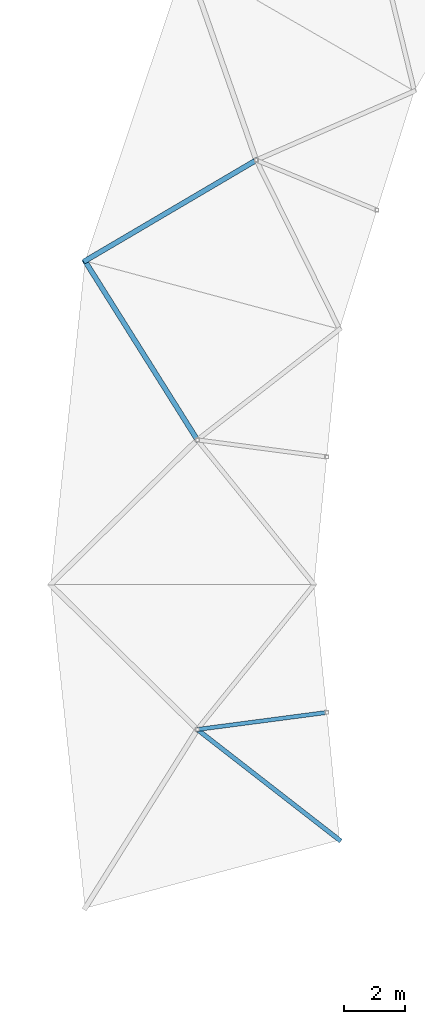
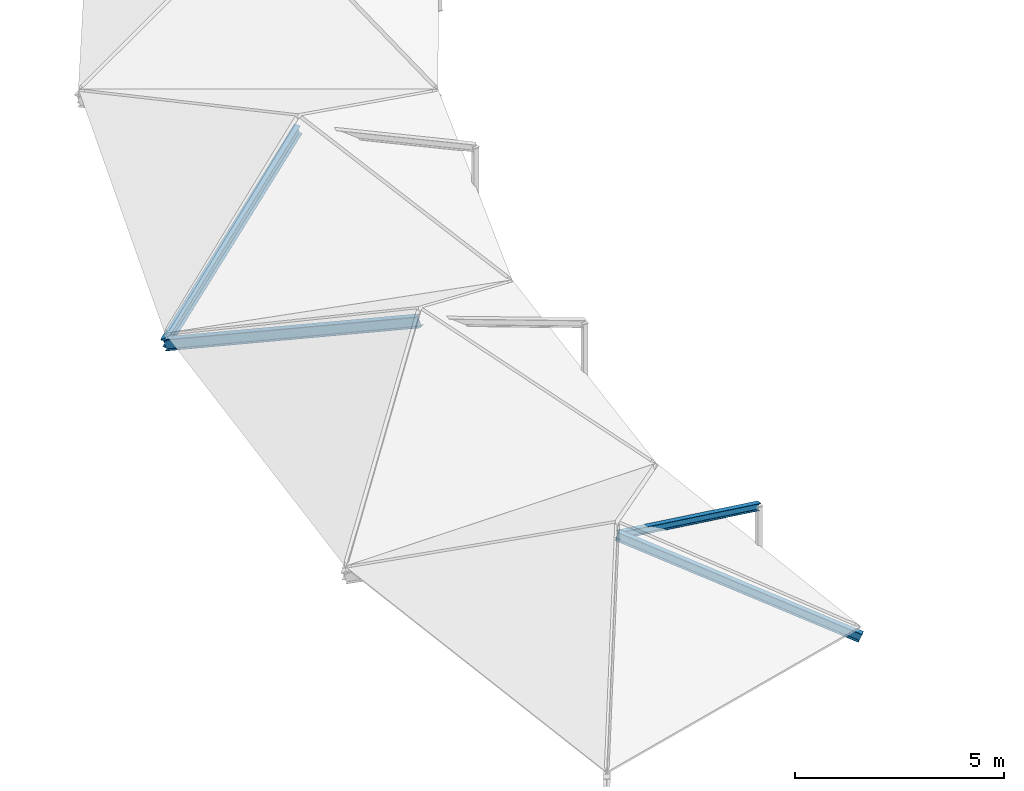
# One storey, part 12 of 66: 4 members.
"""IFC4 building model written with IfcOpenShell, lengths in metres."""

from ifc_helpers import new_model, si_unit, direction, frame, origin, origin_2d, place, context, subcontext, project, spatial, i_section, extrude, material, material_profile, profile_set, type_object, element, save


model = new_model("IFC4")

# Units and contexts
model_context = context("Model", 3, precision=1e-05, world=origin(), true_north=direction((0.0, 1.0)))
body_context = subcontext(model_context, "Body", "Model", "MODEL_VIEW")
ifc_project = project(units=[si_unit("LENGTHUNIT", "METRE"), si_unit("AREAUNIT", "SQUARE_METRE"), si_unit("VOLUMEUNIT", "CUBIC_METRE"), si_unit("PLANEANGLEUNIT", "RADIAN"), si_unit("MASSUNIT", "GRAM", prefix="KILO")], contexts=[model_context])

# Site, building, storey
site_placement = place(None, origin())
site = spatial("IfcSite", under=ifc_project, at=site_placement, CompositionType="ELEMENT")
building_placement = place(site_placement, origin())
building = spatial("IfcBuilding", under=site, at=building_placement, Name="Karori Crest Natural Sciences Institute", CompositionType="ELEMENT")
storey_placement = place(building_placement, frame((0.0, 0.0, 30.10009765625)))
storey = spatial("IfcBuildingStorey", under=building, at=storey_placement, Name="L07", CompositionType="ELEMENT", Elevation=30.10009765625)

# Members
ifc_material = material(Name="Structural steel AS/NZS 3679.1 Grade 350", Category="steel")
ifc_material_profile_1 = material_profile(ifc_material, i_section(OverallWidth=0.166015625, OverallDepth=0.306884765625, WebThickness=0.006591796875, FlangeThickness=0.01171875, FilletRadius=0.010986328125, at=origin_2d()), Name="310UB46.2")
ifc_profile_set_1 = profile_set([ifc_material_profile_1], Name="Structural steel AS/NZS 3679.1 Grade 350")
member_type_1 = type_object("IfcMemberType", Name="MT-06", PredefinedType="RAFTER", material=ifc_profile_set_1)
member_1_placement = place(storey_placement, frame((34.5244140625, 60.459716796875, -0.260009765625), z_axis=(0.810979756491, 0.477338751144, 0.338318712485), x_axis=(-0.507250508331, 0.861798655022, 0.0)))
element("IfcMember", 1, at=member_1_placement, inside=storey, type_object=member_type_1, Name="Member M-0102", PredefinedType="RAFTER", context=body_context, shape_type="SweptSolid", body=[
    extrude(i_section(OverallWidth=0.166015625, OverallDepth=0.306884765625, WebThickness=0.006591796875, FlangeThickness=0.01171875, FilletRadius=0.010986328125, at=origin_2d()), origin(), (0.0, 0.0, 1.0), 6.889404296875),
])
member_2_placement = place(storey_placement, frame((34.5244140625, 60.459716796875, -0.260009765625), z_axis=(0.489420945009, -0.77945420989, 0.391047661126), x_axis=(0.846891844045, 0.531765177959, 0.0)))
element("IfcMember", 2, at=member_2_placement, inside=storey, type_object=member_type_1, Name="Member M-0108", PredefinedType="RAFTER", context=body_context, shape_type="SweptSolid", body=[
    extrude(i_section(OverallWidth=0.166015625, OverallDepth=0.306884765625, WebThickness=0.006591796875, FlangeThickness=0.01171875, FilletRadius=0.010986328125, at=origin_2d()), origin(), (0.0, 0.0, 1.0), 7.487548828125),
])
ifc_material_profile_2 = material_profile(ifc_material, i_section(OverallWidth=0.14599609375, OverallDepth=0.256103515625, WebThickness=0.00634765625, FlangeThickness=0.010986328125, FilletRadius=0.009033203125, at=origin_2d()), Name="250UB37.3")
ifc_profile_set_2 = profile_set([ifc_material_profile_2], Name="Structural steel AS/NZS 3679.1 Grade 350")
member_type_2 = type_object("IfcMemberType", Name="MT-07", PredefinedType="RAFTER", material=ifc_profile_set_2)
member_3_placement = place(storey_placement, frame((42.831298828125, 41.56591796875, -0.260009765625), z_axis=(-0.730459316492, 0.568117950649, 0.379039814663), x_axis=(-0.613929117666, -0.789361158457, 0.0)))
element("IfcMember", 3, at=member_3_placement, inside=storey, type_object=member_type_2, Name="Member M-0118", PredefinedType="RAFTER", context=body_context, shape_type="SweptSolid", body=[
    extrude(i_section(OverallWidth=0.14599609375, OverallDepth=0.256103515625, WebThickness=0.00634765625, FlangeThickness=0.010986328125, FilletRadius=0.009033203125, at=origin_2d()), origin(), (0.0, 0.0, 1.0), 6.35546875),
])
ifc_material_profile_3 = material_profile(ifc_material, i_section(OverallWidth=0.133056640625, OverallDepth=0.202880859375, WebThickness=0.005859375, FlangeThickness=0.0078125, FilletRadius=0.009033203125, at=origin_2d()), Name="200UB25.4")
ifc_profile_set_3 = profile_set([ifc_material_profile_3], Name="Structural steel AS/NZS 3679.1 Grade 350")
member_type_3 = type_object("IfcMemberType", Name="MT-09", PredefinedType="PURLIN", material=ifc_profile_set_3)
member_4_placement = place(storey_placement, frame((42.415771484375, 45.73291015625, 1.185791015625), z_axis=(-0.967075668165, -0.127301186839, 0.220361203195), x_axis=(0.13050932249, -0.99144708217, 0.0)))
element("IfcMember", 4, at=member_4_placement, inside=storey, type_object=member_type_3, Name="Member M-0119", PredefinedType="PURLIN", context=body_context, shape_type="SweptSolid", body=[
    extrude(i_section(OverallWidth=0.133056640625, OverallDepth=0.202880859375, WebThickness=0.005859375, FlangeThickness=0.0078125, FilletRadius=0.009033203125, at=origin_2d()), origin(), (0.0, 0.0, 1.0), 4.37060546875),
])

save(model, "model.ifc")
